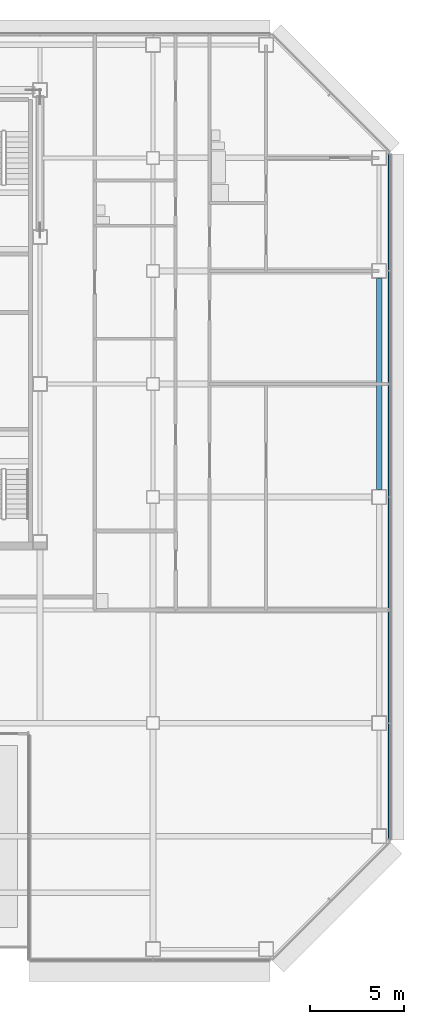
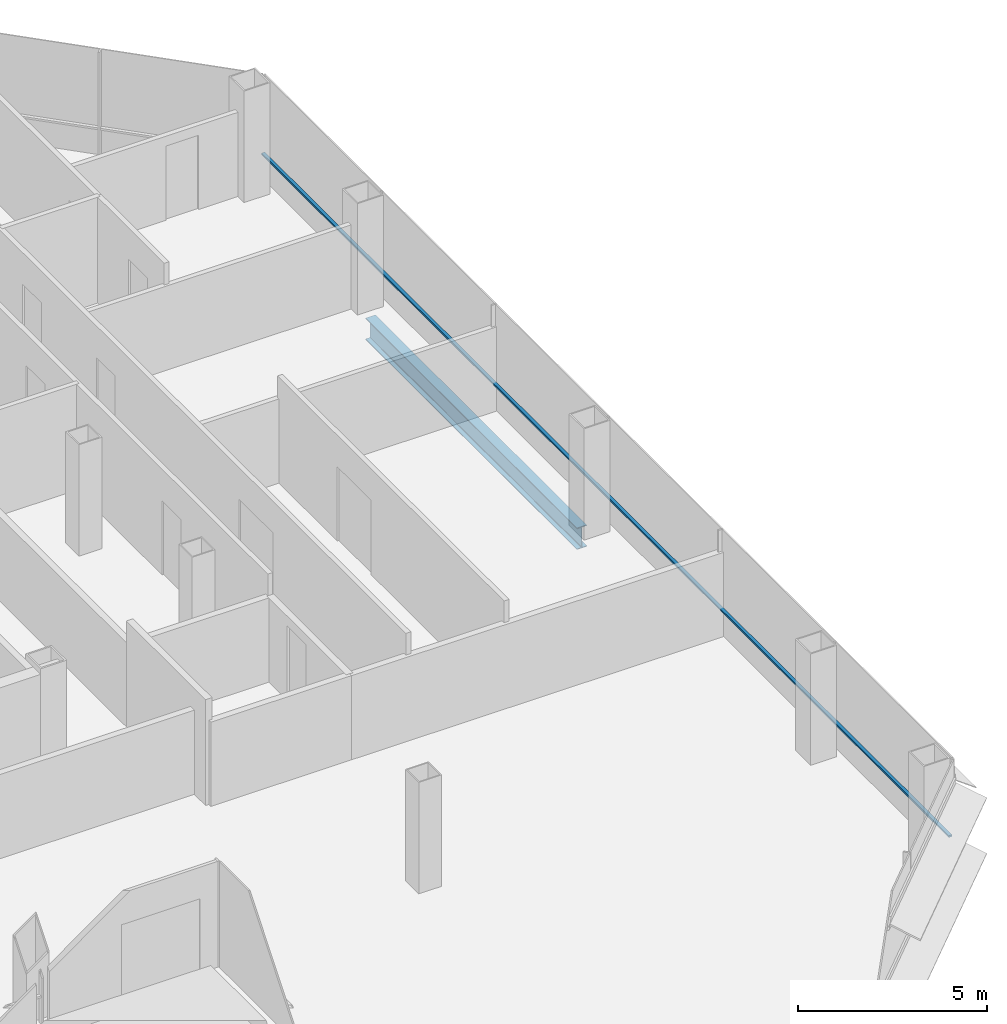
# One storey, part 15 of 26: 1 beam, 1 member, 1 element without a shape of its own.
"""IFC4 building model written with IfcOpenShell, lengths in metres."""

from ifc_helpers import new_model, si_unit, direction, frame, origin, origin_2d, place, context, subcontext, project, spatial, rectangle, i_section, extrude, material, material_profile, profile_set, type_object, element, aggregate, save


model = new_model("IFC4")

# Units and contexts
model_context = context("Model", 3, precision=1e-05, world=origin(), true_north=direction((0.0, 1.0)))
body_context = subcontext(model_context, "Body", "Model", "MODEL_VIEW")
ifc_project = project(units=[si_unit("LENGTHUNIT", "METRE"), si_unit("AREAUNIT", "SQUARE_METRE"), si_unit("VOLUMEUNIT", "CUBIC_METRE"), si_unit("PLANEANGLEUNIT", "RADIAN"), si_unit("MASSUNIT", "GRAM", prefix="KILO")], contexts=[model_context])

# Site, building, storey
site_placement = place(None, origin())
site = spatial("IfcSite", under=ifc_project, at=site_placement, CompositionType="ELEMENT")
building_placement = place(site_placement, origin())
building = spatial("IfcBuilding", under=site, at=building_placement, Name="Sorahane Residences", CompositionType="ELEMENT")
storey_placement = place(building_placement, frame((0.0, 0.0, 103.39990234375)))
storey = spatial("IfcBuildingStorey", under=building, at=storey_placement, Name="L22", CompositionType="ELEMENT", Elevation=103.39990234375)

# Curtain wall, member
ifc_material_1 = material(Name="Dark low-e glass and black anodised aluminium", Category="aluminium")
curtain_wall_type = type_object("IfcCurtainWallType", Name="Curtain wall CW-1 Typical unitised wall", PredefinedType="NOTDEFINED", material=ifc_material_1)
curtain_wall_placement = place(storey_placement, origin())
curtain_wall = element("IfcCurtainWall", 1, at=curtain_wall_placement, inside=storey, type_object=curtain_wall_type, Name="CW-1 curtain wall L22 E2", PredefinedType="NOTDEFINED")
ifc_material_2 = material(Name="Black anodised aluminium", Category="aluminium")
ifc_material_profile_1 = material_profile(ifc_material_2, rectangle(XDim=0.10009765625, YDim=0.06005859375, at=origin_2d()), Name="Curtain wall transom CW-1 black anodised aluminium 60x100")
ifc_profile_set_1 = profile_set([ifc_material_profile_1], Name="Black anodised aluminium")
member_type = type_object("IfcMemberType", Name="Curtain wall transom CW-1 black anodised aluminium 60x100", PredefinedType="USERDEFINED", material=ifc_profile_set_1)
member_placement = place(storey_placement, frame((60.530029296875, 5.801513671875, 0.900146484375), z_axis=(0.0, 1.0, 0.0), x_axis=(-1.0, 0.0, 0.0)))
member = element("IfcMember", 2, at=member_placement, type_object=member_type, Name="CW-1 transom L22 E2", ObjectType="TRANSOM", PredefinedType="USERDEFINED", context=body_context, shape_type="SweptSolid", body=[
    extrude(rectangle(XDim=0.10009765625, YDim=0.06005859375, at=origin_2d()), origin(), (0.0, 0.0, 1.0), 36.39697265625),
])
aggregate(curtain_wall, [member])

# Beam
ifc_material_3 = material(Name="Steel Q355B", Category="steel")
ifc_material_profile_2 = material_profile(ifc_material_3, i_section(OverallWidth=0.300048828125, OverallDepth=0.699951171875, WebThickness=0.012939453125, FlangeThickness=0.02392578125, FilletRadius=0.028076171875, at=origin_2d()), Name="HN 700x300x13x24")
ifc_profile_set_2 = profile_set([ifc_material_profile_2], Name="Steel Q355B")
beam_type = type_object("IfcBeamType", Name="Steel floor beam HN 700x300x13x24 Q355B", PredefinedType="BEAM", material=ifc_profile_set_2)
beam_placement = place(storey_placement, frame((60.0, 24.39990234375, -0.52978515625), z_axis=(0.0, 1.0, 0.0), x_axis=(-1.0, 0.0, 0.0)))
element("IfcBeam", 3, at=beam_placement, inside=storey, type_object=beam_type, Name="Beam L22 063", PredefinedType="BEAM", context=body_context, shape_type="SweptSolid", body=[
    extrude(i_section(OverallWidth=0.300048828125, OverallDepth=0.699951171875, WebThickness=0.012939453125, FlangeThickness=0.02392578125, FilletRadius=0.028076171875, at=origin_2d()), origin(), (0.0, 0.0, 1.0), 11.2001953125),
])

save(model, "model.ifc")
